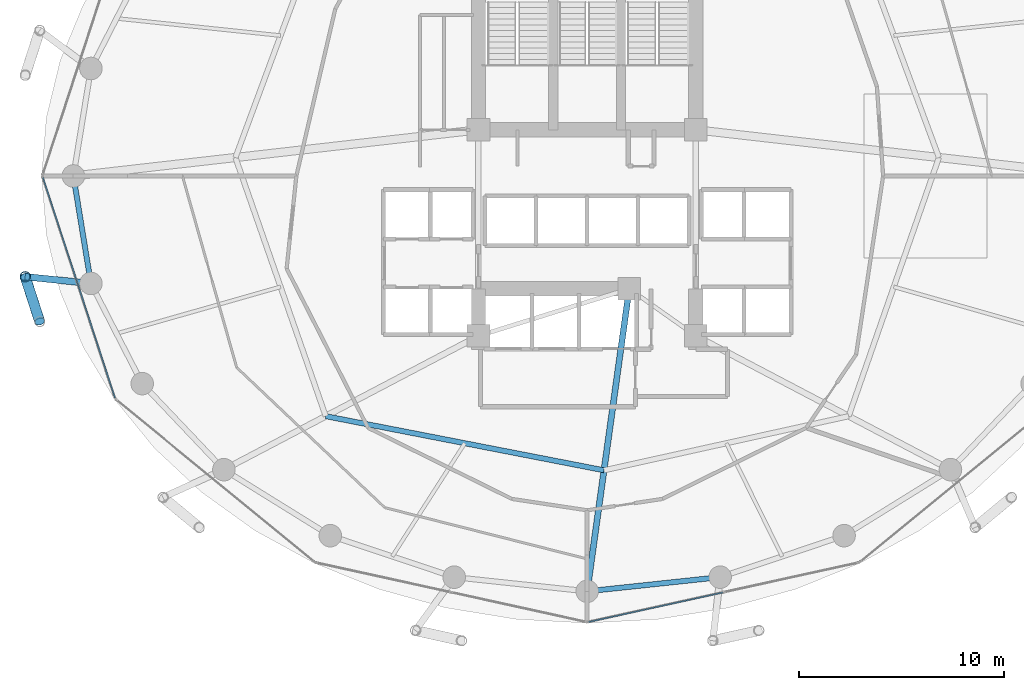
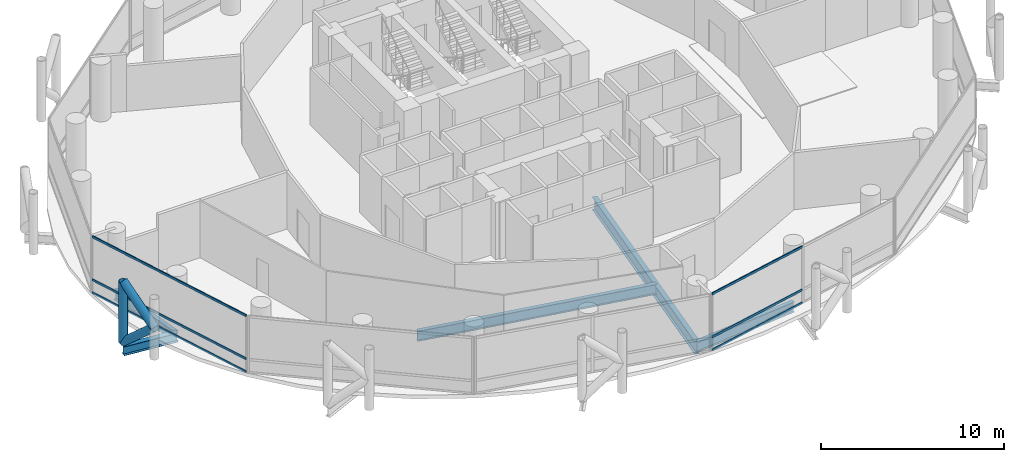
# One storey, part 5 of 24: 9 members, 5 beams, 2 elements without a shape of their own.
"""IFC4 building model written with IfcOpenShell, lengths in metres."""

import ifcopenshell
import ifcopenshell.guid

model = None  # the IFC model being written
_history = None  # IfcOwnerHistory: only IFC2X3 demands one
_inside = {}  # id of a spatial element -> (the spatial element, [elements in it])
_under = {}  # id of a project, library or spatial element -> (it, [spatial elements below it])
_declared = {}  # id of a project -> (the project, [libraries it declares])
_typed = {}  # id of a type object -> (the type object, [elements of that type])
_made_of = {}  # id of a material, layer set ... -> (it, [elements and type objects made of it])


def new_model(schema):
    """Start an empty IFC model of exactly this schema.

    Asked for "IFC4X3", IfcOpenShell would pick the latest addendum, in which some entities
    have other attributes; the version numbers below select the first issue.
    IFC2X3 requires an IfcOwnerHistory on every rooted entity: one is made here for all.
    """
    global model, _history
    if schema == "IFC4X3":
        model = ifcopenshell.file(schema_version=(4, 3, 0, 0))
    else:
        model = ifcopenshell.file(schema=schema)
    _inside.clear()
    _under.clear()
    _declared.clear()
    _typed.clear()
    _made_of.clear()
    _history = None
    if model.schema == "IFC2X3":
        org = make("IfcOrganization", Name="unknown")
        user = make(
            "IfcPersonAndOrganization",
            ThePerson=make("IfcPerson", FamilyName="unknown"),
            TheOrganization=org,
        )
        app = make(
            "IfcApplication",
            ApplicationDeveloper=org,
            Version="unknown",
            ApplicationFullName="unknown",
            ApplicationIdentifier="unknown",
        )
        _history = make(
            "IfcOwnerHistory",
            OwningUser=user,
            OwningApplication=app,
            ChangeAction="ADDED",
            CreationDate=0,
        )
    return model


def make(cls, **values):
    """One entity of the class cls with the attributes given. An attribute that is None is left unset."""
    return model.create_entity(
        cls, **{name: value for name, value in values.items() if value is not None}
    )


def rooted(cls, **values):
    """An entity with a GlobalId (a new one), such as an element, a storey or a relation."""
    return make(cls, GlobalId=ifcopenshell.guid.new(), OwnerHistory=_history, **values)


def si_unit(unit_type, name, prefix=None):
    """IfcSIUnit, for example si_unit("LENGTHUNIT", "METRE", prefix="MILLI")."""
    return make("IfcSIUnit", UnitType=unit_type, Prefix=prefix, Name=name)


def assignment(units):
    """IfcUnitAssignment: the units of a project."""
    return None if units is None else make("IfcUnitAssignment", Units=units)


def point(xyz):
    """IfcCartesianPoint."""
    return None if xyz is None else make("IfcCartesianPoint", Coordinates=xyz)


def direction(xyz):
    """IfcDirection."""
    return None if xyz is None else make("IfcDirection", DirectionRatios=xyz)


def frame(location, z_axis=None, x_axis=None):
    """IfcAxis2Placement3D, a coordinate frame: its origin and axes. An axis left out is left unset."""
    return make(
        "IfcAxis2Placement3D",
        Location=point(location),
        Axis=direction(z_axis),
        RefDirection=direction(x_axis),
    )


def frame_2d(location, x_axis=None):
    """IfcAxis2Placement2D, a coordinate frame in the plane: its origin and x axis."""
    return make(
        "IfcAxis2Placement2D", Location=point(location), RefDirection=direction(x_axis)
    )


def origin():
    """The frame at (0, 0, 0) with its axes left unset."""
    return frame((0.0, 0.0, 0.0))


def origin_2d():
    """The frame at (0, 0) in the plane with its x axis left unset."""
    return frame_2d((0.0, 0.0))


def place(relative_to, where):
    """IfcLocalPlacement: puts the frame where relative to a parent placement (None: the world)."""
    return make(
        "IfcLocalPlacement", PlacementRelTo=relative_to, RelativePlacement=where
    )


def context(
    kind, dimensions, precision=None, world=None, true_north=None, identifier=None
):
    """IfcGeometricRepresentationContext, for example the 3D "Model" context."""
    return make(
        "IfcGeometricRepresentationContext",
        ContextIdentifier=identifier,
        ContextType=kind,
        CoordinateSpaceDimension=dimensions,
        Precision=precision,
        WorldCoordinateSystem=world,
        TrueNorth=true_north,
    )


def subcontext(parent, identifier, kind, view, scale=None):
    """IfcGeometricRepresentationSubContext, for example "Body" below "Model"."""
    return make(
        "IfcGeometricRepresentationSubContext",
        ContextIdentifier=identifier,
        ContextType=kind,
        ParentContext=parent,
        TargetScale=scale,
        TargetView=view,
    )


def project(units=None, contexts=None):
    """IfcProject with its units and contexts."""
    return rooted(
        "IfcProject",
        Name="project",
        RepresentationContexts=contexts,
        UnitsInContext=assignment(units),
    )


def spatial(cls, under=None, at=None, **own):
    """A site, building, storey or space (cls), placed at a placement, below another one or the project."""
    s = rooted(cls, ObjectPlacement=at, **own)
    if under is not None:
        _under.setdefault(under.id(), (under, []))[1].append(s)
    return s


def profile(cls, at=None, kind="AREA", **sizes):
    """A parametric profile (cls). Its sizes go by their IFC names, for example OverallWidth=200.0."""
    return make(cls, ProfileType=kind, Position=at, **sizes)


def hollow_rectangle(**sizes):
    """IfcRectangleHollowProfileDef."""
    return profile("IfcRectangleHollowProfileDef", **sizes)


def hollow_circle(**sizes):
    """IfcCircleHollowProfileDef."""
    return profile("IfcCircleHollowProfileDef", **sizes)


def i_section(**sizes):
    """IfcIShapeProfileDef."""
    return profile("IfcIShapeProfileDef", **sizes)


def extrude(swept, where, along, depth):
    """IfcExtrudedAreaSolid: the profile swept, set in the frame where, extruded along a direction by depth."""
    return make(
        "IfcExtrudedAreaSolid",
        SweptArea=swept,
        Position=where,
        ExtrudedDirection=direction(along),
        Depth=depth,
    )


def shape(context_of_items, identifier, shape_type, items):
    """IfcShapeRepresentation: the items that make up one representation, for example the "Body"."""
    return make(
        "IfcShapeRepresentation",
        ContextOfItems=context_of_items,
        RepresentationIdentifier=identifier,
        RepresentationType=shape_type,
        Items=items,
    )


def material(Name=None, Category=None):
    """IfcMaterial."""
    return make("IfcMaterial", Name=Name, Category=Category)


def layer(
    of_material, thickness, ventilated=None, Name=None, Category=None, Priority=None
):
    """IfcMaterialLayer: one layer of a wall or slab, of a material (None: an air gap)."""
    return make(
        "IfcMaterialLayer",
        Material=of_material,
        LayerThickness=thickness,
        IsVentilated=ventilated,
        Name=Name,
        Category=Category,
        Priority=Priority,
    )


def layer_set(layers, Name=None):
    """IfcMaterialLayerSet."""
    return make("IfcMaterialLayerSet", MaterialLayers=layers, LayerSetName=Name)


def material_profile(
    of_material, cross_section, Name=None, Category=None, Priority=None
):
    """IfcMaterialProfile: a cross section and its material."""
    return make(
        "IfcMaterialProfile",
        Name=Name,
        Material=of_material,
        Profile=cross_section,
        Priority=Priority,
        Category=Category,
    )


def profile_set(profiles, Name=None, composite=None):
    """IfcMaterialProfileSet."""
    return make(
        "IfcMaterialProfileSet",
        Name=Name,
        MaterialProfiles=profiles,
        CompositeProfile=composite,
    )


def made_of(thing, what):
    """Note that an element or type object is made of a material, layer set ...; save() writes the relation."""
    if what is not None:
        _made_of.setdefault(what.id(), (what, []))[1].append(thing)
    return thing


def type_object(cls, material=None, **own):
    """A type object (cls), such as IfcWallType, which elements share."""
    return made_of(rooted(cls, **own), material)


def element(
    cls,
    number,
    at=None,
    inside=None,
    cuts=None,
    type_object=None,
    material=None,
    context=None,
    identifier="Body",
    shape_type=None,
    held_by="IfcProductDefinitionShape",
    body=None,
    shapes=None,
    **own,
):
    """One element of the class cls, such as IfcWall. Its Tag is "e" and its number.

    at: its placement. inside: the storey or other place that contains it. cuts: it is an
    opening in that element (IfcRelVoidsElement). A single representation is given by context,
    identifier, shape_type and body (its items); several are given by shapes. held_by: the class
    of the entity that holds the representations. save() writes the other relations.
    """
    e = rooted(cls, Tag="e%d" % number, ObjectPlacement=at, **own)
    if body is not None:
        shapes = [shape(context, identifier, shape_type, body)]
    if shapes is not None:
        e.Representation = make(held_by, Representations=shapes)
    if inside is not None:
        _inside.setdefault(inside.id(), (inside, []))[1].append(e)
    if cuts is not None:
        rooted(
            "IfcRelVoidsElement", RelatingBuildingElement=cuts, RelatedOpeningElement=e
        )
    if type_object is not None:
        _typed.setdefault(type_object.id(), (type_object, []))[1].append(e)
    return made_of(e, material)


def aggregate(whole, parts):
    """IfcRelAggregates: a whole, such as a stair, and the parts it consists of."""
    return rooted("IfcRelAggregates", RelatingObject=whole, RelatedObjects=parts)


def save(model, path):
    """Write the relations noted so far, then the file.

    IfcRelAggregates (storeys below a building ...), IfcRelContainedInSpatialStructure (elements
    in a storey), IfcRelDefinesByType, IfcRelAssociatesMaterial and IfcRelDeclares: one each for
    every whole, place, type object, material and project.
    """
    for whole, parts in _under.values():
        aggregate(whole, parts)
    for where, things in _inside.values():
        rooted(
            "IfcRelContainedInSpatialStructure",
            RelatedElements=things,
            RelatingStructure=where,
        )
    for kind, things in _typed.values():
        rooted("IfcRelDefinesByType", RelatedObjects=things, RelatingType=kind)
    for what, things in _made_of.values():
        rooted("IfcRelAssociatesMaterial", RelatedObjects=things, RelatingMaterial=what)
    for by, libraries in _declared.values():
        rooted("IfcRelDeclares", RelatingContext=by, RelatedDefinitions=libraries)
    model.write(path)


model = new_model("IFC4")

# Units and contexts
model_context = context("Model", 3, precision=1e-05, world=origin(), true_north=direction((0.0, 1.0)))
body_context = subcontext(model_context, "Body", "Model", "MODEL_VIEW")
ifc_project = project(units=[si_unit("LENGTHUNIT", "METRE"), si_unit("AREAUNIT", "SQUARE_METRE"), si_unit("VOLUMEUNIT", "CUBIC_METRE"), si_unit("PLANEANGLEUNIT", "RADIAN"), si_unit("MASSUNIT", "GRAM", prefix="KILO")], contexts=[model_context])

# Site, building, storey
site_placement = place(None, origin())
site = spatial("IfcSite", under=ifc_project, at=site_placement, CompositionType="ELEMENT")
building_placement = place(site_placement, origin())
building = spatial("IfcBuilding", under=site, at=building_placement, Name="Nuhasar Tower", CompositionType="ELEMENT")
storey_placement = place(building_placement, frame((0.0, 0.0, 69.60009765625)))
storey = spatial("IfcBuildingStorey", under=building, at=storey_placement, Name="L16", CompositionType="ELEMENT", Elevation=69.60009765625)

# Beams
ifc_material_1 = material(Name="Steel S355", Category="steel")
ifc_material_profile_1 = material_profile(ifc_material_1, i_section(OverallWidth=0.25390625, OverallDepth=0.68408203125, WebThickness=0.012451171875, FlangeThickness=0.018798828125, at=origin_2d()), Name="W27X94")
ifc_profile_set_1 = profile_set([ifc_material_profile_1], Name="Steel S355")
beam_type_1 = type_object("IfcBeamType", Name="BM-INRING-W27X94", PredefinedType="BEAM", material=ifc_profile_set_1)
beam_1_placement = place(storey_placement, frame((26.251953125, 15.089111328125, -0.592041015625), z_axis=(0.981602977761, -0.190933480695, 0.0), x_axis=(0.190933480695, 0.981602977761, 0.0)))
element("IfcBeam", 1, at=beam_1_placement, inside=storey, type_object=beam_type_1, Name="L16 Inner Header Beam 01", PredefinedType="BEAM", context=body_context, shape_type="SweptSolid", body=[
    extrude(i_section(OverallWidth=0.25390625, OverallDepth=0.68408203125, WebThickness=0.012451171875, FlangeThickness=0.018798828125, at=origin_2d()), origin(), (0.0, 0.0, 1.0), 13.822509765625),
])
ifc_material_profile_2 = material_profile(ifc_material_1, i_section(OverallWidth=0.2919921875, OverallDepth=0.85888671875, WebThickness=0.01708984375, FlangeThickness=0.031005859375, at=origin_2d()), Name="W33X169")
ifc_profile_set_2 = profile_set([ifc_material_profile_2], Name="Steel S355")
beam_type_2 = type_object("IfcBeamType", Name="BM-POD-W33X169", PredefinedType="BEAM", material=ifc_profile_set_2)
beam_2_placement = place(storey_placement, frame((41.050048828125, 21.300048828125, -0.68017578125), z_axis=(-0.137663087856, -0.990479113481, 0.0), x_axis=(0.990479113481, -0.137663087856, 0.0)))
element("IfcBeam", 2, at=beam_2_placement, inside=storey, type_object=beam_type_2, Name="L16 Radial Floor Girder 02", PredefinedType="BEAM", context=body_context, shape_type="SweptSolid", body=[
    extrude(i_section(OverallWidth=0.2919921875, OverallDepth=0.85888671875, WebThickness=0.01708984375, FlangeThickness=0.031005859375, at=origin_2d()), origin(), (0.0, 0.0, 1.0), 14.891845703125),
])
ifc_material_profile_3 = material_profile(ifc_material_1, i_section(OverallWidth=0.256103515625, OverallDepth=0.693115234375, WebThickness=0.014404296875, FlangeThickness=0.023681640625, at=origin_2d()), Name="W27X114")
ifc_profile_set_3 = profile_set([ifc_material_profile_3], Name="Steel S355")
beam_type_3 = type_object("IfcBeamType", Name="BM-RING-W27X114", PredefinedType="SPANDREL", material=ifc_profile_set_3)
beam_3_placement = place(storey_placement, frame((13.949951171875, 26.800048828125, -0.59716796875), z_axis=(0.160826635486, -0.986982671235, 0.0), x_axis=(0.986982671235, 0.160826635486, 0.0)))
element("IfcBeam", 3, at=beam_3_placement, inside=storey, type_object=beam_type_3, Name="L16 Perimeter Ring Spandrel 13", PredefinedType="SPANDREL", context=body_context, shape_type="SweptSolid", body=[
    extrude(i_section(OverallWidth=0.256103515625, OverallDepth=0.693115234375, WebThickness=0.014404296875, FlangeThickness=0.023681640625, at=origin_2d()), origin(), (0.0, 0.0, 1.0), 5.31005859375),
])
beam_4_placement = place(storey_placement, frame((39.0, 6.550048828125, -0.59716796875), z_axis=(0.994384554061, 0.105827022286, 0.0), x_axis=(-0.105827022286, 0.994384554061, 0.0)))
element("IfcBeam", 4, at=beam_4_placement, inside=storey, type_object=beam_type_3, Name="L16 Perimeter Ring Spandrel 19", PredefinedType="SPANDREL", context=body_context, shape_type="SweptSolid", body=[
    extrude(i_section(OverallWidth=0.256103515625, OverallDepth=0.693115234375, WebThickness=0.014404296875, FlangeThickness=0.023681640625, at=origin_2d()), origin(), (0.0, 0.0, 1.0), 6.51953125),
])
ifc_material_profile_4 = material_profile(ifc_material_1, i_section(OverallWidth=0.323974609375, OverallDepth=0.611083984375, WebThickness=0.0126953125, FlangeThickness=0.01904296875, at=origin_2d()), Name="W24X104")
ifc_profile_set_4 = profile_set([ifc_material_profile_4], Name="Steel S355")
beam_type_4 = type_object("IfcBeamType", Name="BM-TIE-W24X104", PredefinedType="BEAM", material=ifc_profile_set_4)
beam_5_placement = place(storey_placement, frame((14.803955078125, 21.55908203125, -0.55615234375), z_axis=(-0.994711572359, 0.102707778751, 0.0), x_axis=(-0.102707778751, -0.994711572359, 0.0)))
element("IfcBeam", 5, at=beam_5_placement, inside=storey, type_object=beam_type_4, Name="L16 Exoskeleton Node Tie Beam 07", PredefinedType="BEAM", context=body_context, shape_type="SweptSolid", body=[
    extrude(i_section(OverallWidth=0.323974609375, OverallDepth=0.611083984375, WebThickness=0.0126953125, FlangeThickness=0.01904296875, at=origin_2d()), origin(), (0.0, 0.0, 1.0), 3.220947265625),
])

# Curtain wall, members
ifc_material_2 = material(Name="Aluminium 6063-T6", Category="aluminium")
ifc_layer = layer(ifc_material_2, 0.199951171875)
ifc_layer_set = layer_set([ifc_layer], Name="Aluminium 6063-T6")
curtain_wall_type = type_object("IfcCurtainWallType", Name="CW-Z1-OFF", PredefinedType="NOTDEFINED", material=ifc_layer_set)
curtain_wall_1_placement = place(storey_placement, origin())
curtain_wall_1 = element("IfcCurtainWall", 6, at=curtain_wall_1_placement, inside=storey, type_object=curtain_wall_type, Name="L16 Unitised Curtain Wall 07", PredefinedType="NOTDEFINED")
ifc_material_profile_5 = material_profile(ifc_material_2, hollow_rectangle(XDim=0.06494140625, YDim=0.14990234375, WallThickness=0.00439453125, at=origin_2d()), Name="CWT-2")
ifc_profile_set_5 = profile_set([ifc_material_profile_5], Name="Aluminium 6063-T6")
member_type_1 = type_object("IfcMemberType", Name="CW-TRN-S2", PredefinedType="USERDEFINED", material=ifc_profile_set_5)
member_1_placement = place(storey_placement, frame((12.460205078125, 26.73828125, 0.032470703125), z_axis=(0.310818687697, -0.950469222741, 0.0), x_axis=(0.950469222741, 0.310818687697, 0.0)))
member_1 = element("IfcMember", 7, at=member_1_placement, type_object=member_type_1, Name="CW-Z1 transom 1.1", ObjectType="TRANSOM", PredefinedType="USERDEFINED", context=body_context, shape_type="SweptSolid", body=[
    extrude(hollow_rectangle(XDim=0.06494140625, YDim=0.14990234375, WallThickness=0.00439453125, at=origin_2d()), origin(), (0.0, 0.0, 1.0), 11.317138671875),
])
member_2_placement = place(storey_placement, frame((12.460205078125, 26.73828125, 0.89990234375), z_axis=(0.310818687697, -0.950469222741, 0.0), x_axis=(0.950469222741, 0.310818687697, 0.0)))
member_2 = element("IfcMember", 8, at=member_2_placement, type_object=member_type_1, Name="CW-Z1 transom 1.2", ObjectType="TRANSOM", PredefinedType="USERDEFINED", context=body_context, shape_type="SweptSolid", body=[
    extrude(hollow_rectangle(XDim=0.06494140625, YDim=0.14990234375, WallThickness=0.00439453125, at=origin_2d()), origin(), (0.0, 0.0, 1.0), 11.317138671875),
])
member_3_placement = place(storey_placement, frame((12.460205078125, 26.73828125, 3.767333984375), z_axis=(0.310818687697, -0.950469222741, 0.0), x_axis=(0.950469222741, 0.310818687697, 0.0)))
member_3 = element("IfcMember", 9, at=member_3_placement, type_object=member_type_1, Name="CW-Z1 transom 1.3", ObjectType="TRANSOM", PredefinedType="USERDEFINED", context=body_context, shape_type="SweptSolid", body=[
    extrude(hollow_rectangle(XDim=0.06494140625, YDim=0.14990234375, WallThickness=0.00439453125, at=origin_2d()), origin(), (0.0, 0.0, 1.0), 11.317138671875),
])
aggregate(curtain_wall_1, [member_1, member_2, member_3])

curtain_wall_2_placement = place(storey_placement, origin())
curtain_wall_2 = element("IfcCurtainWall", 10, at=curtain_wall_2_placement, inside=storey, type_object=curtain_wall_type, Name="L16 Unitised Curtain Wall 10", PredefinedType="NOTDEFINED")
member_4_placement = place(storey_placement, frame((39.0634765625, 5.053955078125, 0.032470703125), z_axis=(0.976747879138, 0.214391185916, 0.0), x_axis=(-0.214391185916, 0.976747879138, 0.0)))
member_4 = element("IfcMember", 11, at=member_4_placement, type_object=member_type_1, Name="CW-Z1 transom 1.1", ObjectType="TRANSOM", PredefinedType="USERDEFINED", context=body_context, shape_type="SweptSolid", body=[
    extrude(hollow_rectangle(XDim=0.06494140625, YDim=0.14990234375, WallThickness=0.00439453125, at=origin_2d()), origin(), (0.0, 0.0, 1.0), 6.700439453125),
])
member_5_placement = place(storey_placement, frame((39.0634765625, 5.053955078125, 0.89990234375), z_axis=(0.976747879138, 0.214391185916, 0.0), x_axis=(-0.214391185916, 0.976747879138, 0.0)))
member_5 = element("IfcMember", 12, at=member_5_placement, type_object=member_type_1, Name="CW-Z1 transom 1.2", ObjectType="TRANSOM", PredefinedType="USERDEFINED", context=body_context, shape_type="SweptSolid", body=[
    extrude(hollow_rectangle(XDim=0.06494140625, YDim=0.14990234375, WallThickness=0.00439453125, at=origin_2d()), origin(), (0.0, 0.0, 1.0), 6.700439453125),
])
member_6_placement = place(storey_placement, frame((39.0634765625, 5.053955078125, 3.767333984375), z_axis=(0.976747879138, 0.214391185916, 0.0), x_axis=(-0.214391185916, 0.976747879138, 0.0)))
member_6 = element("IfcMember", 13, at=member_6_placement, type_object=member_type_1, Name="CW-Z1 transom 1.3", ObjectType="TRANSOM", PredefinedType="USERDEFINED", context=body_context, shape_type="SweptSolid", body=[
    extrude(hollow_rectangle(XDim=0.06494140625, YDim=0.14990234375, WallThickness=0.00439453125, at=origin_2d()), origin(), (0.0, 0.0, 1.0), 6.700439453125),
])
aggregate(curtain_wall_2, [member_4, member_5, member_6])

# Members
ifc_material_3 = material(Name="Steel S460", Category="steel")
ifc_material_profile_6 = material_profile(ifc_material_3, hollow_circle(Radius=0.25390625, WallThickness=0.025390625, at=origin_2d()), Name="HSS508X25.4")
ifc_profile_set_6 = profile_set([ifc_material_profile_6], Name="Steel S460")
member_type_2 = type_object("IfcMemberType", Name="EXO-BRONZE-508", PredefinedType="BRACE", material=ifc_profile_set_6)
member_7_placement = place(storey_placement, frame((11.60009765625, 21.889892578125, 0.0), z_axis=(0.0, 0.0, 1.0), x_axis=(1.0, 0.0, 0.0)))
element("IfcMember", 14, at=member_7_placement, inside=storey, type_object=member_type_2, Name="L16 Exoskeleton Chord Column EC-07A", PredefinedType="BRACE", context=body_context, shape_type="SweptSolid", body=[
    extrude(hollow_circle(Radius=0.25390625, WallThickness=0.025390625, at=origin_2d()), origin(), (0.0, 0.0, 1.0), 4.0498046875),
])
for number, where, z_axis, x_axis, name in (
    (15, (11.60009765625, 21.889892578125, 0.0), (0.231011836313, -0.714224870475, 0.660693851854), (0.951468282519, 0.307746823478, 0.0), "L16 Bronze Diagrid Brace W1-07"),
    (16, (12.30810546875, 19.700927734375, 2.02490234375), (-0.231011836313, 0.714224870475, 0.660693851854), (-0.951468282519, -0.307746823478, 0.0), "L16 Bronze Diagrid Brace W2-07"),
):
    element("IfcMember", number, at=place(storey_placement, frame(where, z_axis=z_axis, x_axis=x_axis)), inside=storey, type_object=member_type_2, Name=name, PredefinedType="BRACE", context=body_context, shape_type="SweptSolid", body=[
        extrude(hollow_circle(Radius=0.25390625, WallThickness=0.025390625, at=origin_2d()), origin(), (0.0, 0.0, 1.0), 3.064697265625),
    ])

save(model, "model.ifc")
